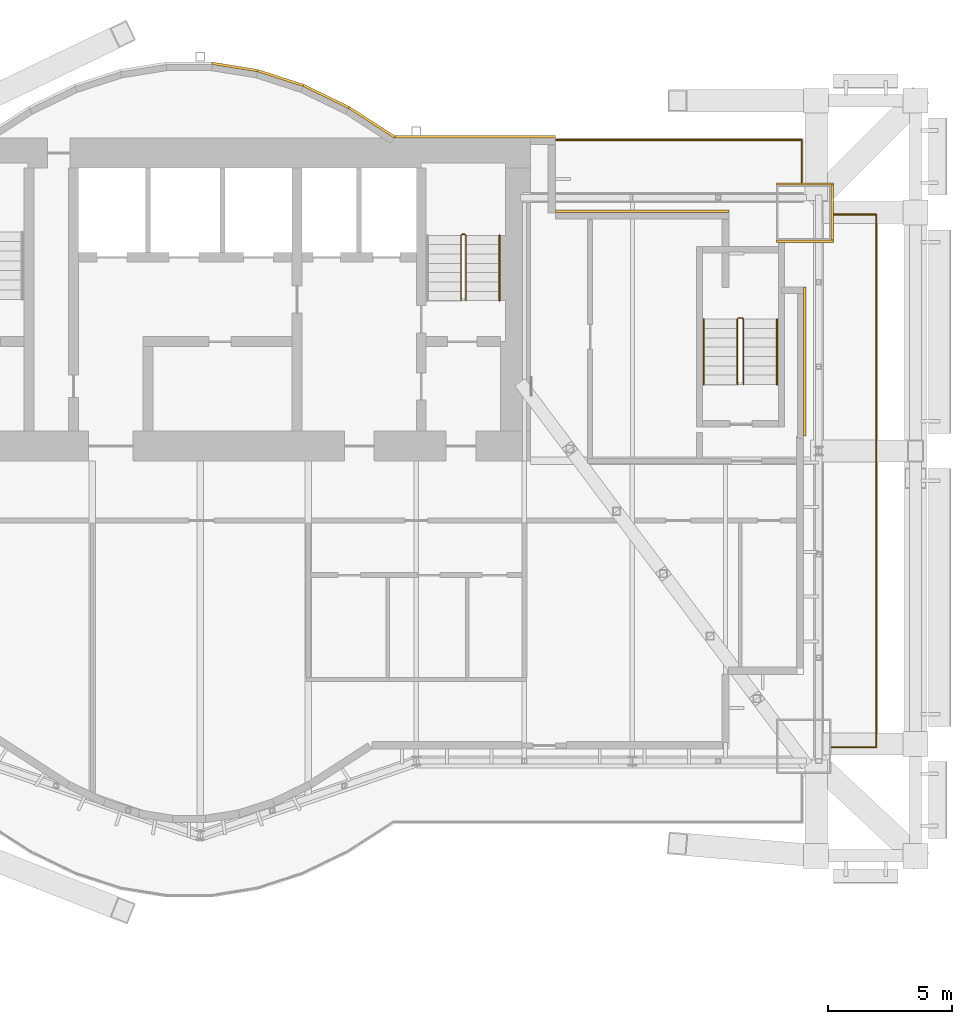
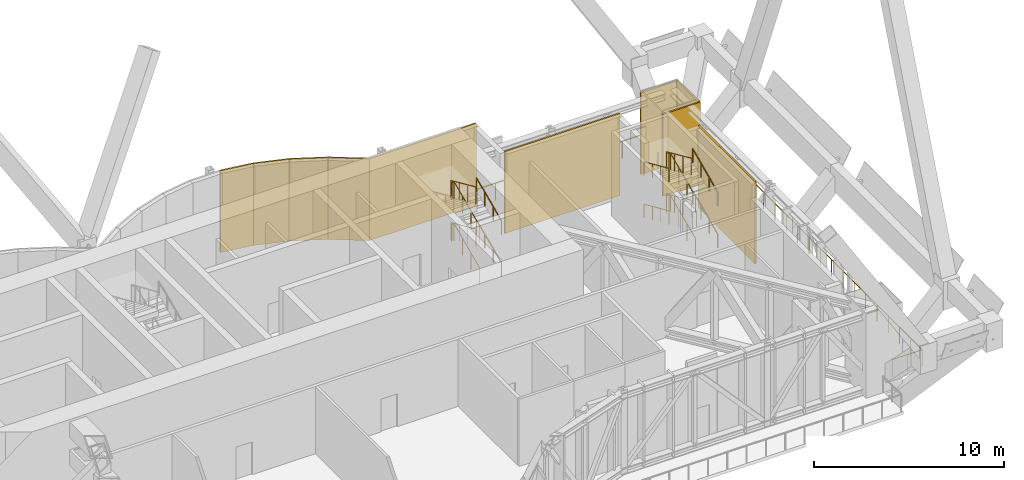
# One storey, part 30 of 30: 12 railings, 10 coverings.
"""IFC4 building model written with IfcOpenShell, lengths in metres."""

from ifc_helpers import new_model, si_unit, direction, frame, origin, origin_2d, place, context, subcontext, project, spatial, rectangle, circle, extrude, material, layer, layer_set, type_object, element, save


model = new_model("IFC4")

# Units and contexts
model_context = context("Model", 3, precision=1e-05, world=origin(), true_north=direction((0.0, 1.0)))
body_context = subcontext(model_context, "Body", "Model", "MODEL_VIEW")
ifc_project = project(units=[si_unit("LENGTHUNIT", "METRE"), si_unit("AREAUNIT", "SQUARE_METRE"), si_unit("VOLUMEUNIT", "CUBIC_METRE"), si_unit("PLANEANGLEUNIT", "RADIAN"), si_unit("MASSUNIT", "GRAM", prefix="KILO")], contexts=[model_context])

# Site, building, storey
site_placement = place(None, origin())
site = spatial("IfcSite", under=ifc_project, at=site_placement, CompositionType="ELEMENT")
building_placement = place(site_placement, origin())
building = spatial("IfcBuilding", under=site, at=building_placement, Name="Bicima Exchange Tower", CompositionType="ELEMENT")
storey_placement = place(building_placement, frame((0.0, 0.0, 287.60009765625)))
storey = spatial("IfcBuildingStorey", under=building, at=storey_placement, Name="L65", CompositionType="ELEMENT", Elevation=287.60009765625)

# Coverings
ifc_material_1 = material(Name="Bronze metal cladding")
ifc_layer_1 = layer(ifc_material_1, 0.004)
ifc_material_2 = material(Name="Ventilated cavity")
ifc_layer_2 = layer(ifc_material_2, 0.06)
ifc_material_3 = material(Name="Galvanised steel rail and mineral wool", Category="steel")
ifc_layer_3 = layer(ifc_material_3, 0.036)
ifc_layer_set = layer_set([ifc_layer_1, ifc_layer_2, ifc_layer_3], Name="Ventilated cavity")
covering_type = type_object("IfcCoveringType", Name="Bronze metal cladding panel 100", PredefinedType="CLADDING", material=ifc_layer_set)
covering_1_placement = place(storey_placement, frame((33.050048828125, -9.0, 0.0), z_axis=(0.0, 0.0, 1.0), x_axis=(0.0, 1.0, 0.0)))
element("IfcCovering", 1, at=covering_1_placement, inside=storey, type_object=covering_type, Name="Bronze cladding L65 2.1", PredefinedType="CLADDING", context=body_context, shape_type="SweptSolid", body=[
    extrude(rectangle(XDim=6.0, YDim=0.10009765625, at=origin_2d()), origin(), (0.0, 0.0, 1.0), 5.25),
])
covering_2_placement = place(storey_placement, frame((26.5, -2.949951171875, 0.0), z_axis=(0.0, 0.0, 1.0), x_axis=(-1.0, 0.0, 0.0)))
element("IfcCovering", 2, at=covering_2_placement, inside=storey, type_object=covering_type, Name="Bronze cladding L65 5.1", PredefinedType="CLADDING", context=body_context, shape_type="SweptSolid", body=[
    extrude(rectangle(XDim=7.0, YDim=0.10009765625, at=origin_2d()), origin(), (0.0, 0.0, 1.0), 5.25),
])
covering_3_placement = place(storey_placement, frame((19.75, 0.050048828125, 0.0), z_axis=(0.0, 0.0, 1.0), x_axis=(-1.0, 0.0, 0.0)))
element("IfcCovering", 3, at=covering_3_placement, inside=storey, type_object=covering_type, Name="Bronze cladding L65 7.1", PredefinedType="CLADDING", context=body_context, shape_type="SweptSolid", body=[
    extrude(rectangle(XDim=6.5, YDim=0.10009765625, at=origin_2d()), origin(), (0.0, 0.0, 1.0), 5.25),
])
covering_4_placement = place(storey_placement, frame((15.610595703125, 0.634521484375, 0.0), z_axis=(0.0, 0.0, 1.0), x_axis=(-0.839790466384, 0.542910648791, 0.0)))
element("IfcCovering", 4, at=covering_4_placement, inside=storey, type_object=covering_type, Name="Bronze cladding L65 8.1", PredefinedType="CLADDING", context=body_context, shape_type="SweptSolid", body=[
    extrude(rectangle(XDim=2.18310546875, YDim=0.10009765625, at=origin_2d()), origin(), (0.0, 0.0, 1.0), 5.25),
])
covering_5_placement = place(storey_placement, frame((13.771728515625, 1.674560546875, 0.0), z_axis=(0.0, 0.0, 1.0), x_axis=(-0.899818346812, 0.436264762204, 0.0)))
element("IfcCovering", 5, at=covering_5_placement, inside=storey, type_object=covering_type, Name="Bronze cladding L65 9.1", PredefinedType="CLADDING", context=body_context, shape_type="SweptSolid", body=[
    extrude(rectangle(XDim=2.03759765625, YDim=0.10009765625, at=origin_2d()), origin(), (0.0, 0.0, 1.0), 5.25),
])
covering_6_placement = place(storey_placement, frame((11.931884765625, 2.41796875, 0.0), z_axis=(0.0, 0.0, 1.0), x_axis=(-0.951524642381, 0.307572519808, 0.0)))
element("IfcCovering", 6, at=covering_6_placement, inside=storey, type_object=covering_type, Name="Bronze cladding L65 10.1", PredefinedType="CLADDING", context=body_context, shape_type="SweptSolid", body=[
    extrude(rectangle(XDim=1.9267578125, YDim=0.10009765625, at=origin_2d()), origin(), (0.0, 0.0, 1.0), 5.25),
])
covering_7_placement = place(storey_placement, frame((10.09130859375, 2.8642578125, 0.0), z_axis=(0.0, 0.0, 1.0), x_axis=(-0.987189786347, 0.159550386184, 0.0)))
element("IfcCovering", 7, at=covering_7_placement, inside=storey, type_object=covering_type, Name="Bronze cladding L65 11.1", PredefinedType="CLADDING", context=body_context, shape_type="SweptSolid", body=[
    extrude(rectangle(XDim=1.857177734375, YDim=0.10009765625, at=origin_2d()), origin(), (0.0, 0.0, 1.0), 5.25),
])
for number, where, z_axis, x_axis, name in (
    (8, (33.050048828125, -1.85009765625, 0.0), (0.0, 0.0, 1.0), (1.0, 0.0, 0.0), "Column cladding L65 2N"),
    (9, (33.050048828125, -4.14990234375, 0.0), (0.0, 0.0, 1.0), (1.0, 0.0, 0.0), "Column cladding L65 2S"),
):
    element("IfcCovering", number, at=place(storey_placement, frame(where, z_axis=z_axis, x_axis=x_axis)), inside=storey, type_object=covering_type, Name=name, PredefinedType="CLADDING", context=body_context, shape_type="SweptSolid", body=[
        extrude(rectangle(XDim=2.300048828125, YDim=0.10009765625, at=origin_2d()), origin(), (0.0, 0.0, 1.0), 5.25),
    ])
covering_8_placement = place(storey_placement, frame((34.14990234375, -3.0, 0.0), z_axis=(0.0, 0.0, 1.0), x_axis=(1.0, 0.0, 0.0)))
element("IfcCovering", 10, at=covering_8_placement, inside=storey, type_object=covering_type, Name="Column cladding L65 2O", PredefinedType="CLADDING", context=body_context, shape_type="SweptSolid", body=[
    extrude(rectangle(XDim=0.10009765625, YDim=2.199951171875, at=origin_2d()), origin(), (0.0, 0.0, 1.0), 5.25),
])

# Railings
ifc_material_4 = material(Name="Stainless steel", Category="steel")
railing_type_1 = type_object("IfcRailingType", Name="Stair guard 1100", PredefinedType="GUARDRAIL", material=ifc_material_4)
railing_1_placement = place(storey_placement, frame((19.39990234375, -6.550048828125, 0.168701171875)))
element("IfcRailing", 11, at=railing_1_placement, inside=storey, type_object=railing_type_1, Name="L65 ST-E stair guard 1", PredefinedType="GUARDRAIL", context=body_context, shape_type="SweptSolid", body=[
    extrude(circle(Radius=0.02392578125, at=origin_2d()), frame((0.0, 0.0, 1.076171875), z_axis=(0.0, 0.912233369549, 0.409670940488), x_axis=(-1.0, 0.0, 0.0)), (0.0, 0.0, 1.0), 2.883056640625),
    extrude(circle(Radius=0.02392578125, at=origin_2d()), frame((0.0, 2.630126953125, 2.25732421875), z_axis=(-0.707106781187, 0.707106781187, 0.0), x_axis=(-0.707106781187, -0.707106781187, 0.0)), (0.0, 0.0, 1.0), 0.0703125),
    extrude(circle(Radius=0.02392578125, at=origin_2d()), frame((-0.0498046875, 2.679931640625, 2.25732421875), z_axis=(-1.0, 0.0, 0.0), x_axis=(0.0, -1.0, 0.0)), (0.0, 0.0, 1.0), 0.10009765625),
    extrude(circle(Radius=0.02392578125, at=origin_2d()), frame((-0.14990234375, 2.679931640625, 2.25732421875), z_axis=(-0.273668752699, -0.272333783174, 0.922463942026), x_axis=(0.705375805398, -0.708833529934, 0.0)), (0.0, 0.0, 1.0), 0.182861328125),
    extrude(circle(Radius=0.02392578125, at=origin_2d()), frame((-0.199951171875, 2.630126953125, 2.42578125), z_axis=(0.0, -0.912201722539, 0.409741403079), x_axis=(1.0, 0.0, 0.0)), (0.0, 0.0, 1.0), 2.88330078125),
    extrude(circle(Radius=0.02099609375, at=origin_2d()), origin(), (0.0, 0.0, 1.0), 1.052001953125),
    extrude(circle(Radius=0.02099609375, at=origin_2d()), frame((0.0, 0.876708984375, 0.393798828125)), (0.0, 0.0, 1.0), 1.052001953125),
    extrude(circle(Radius=0.02099609375, at=origin_2d()), frame((0.0, 1.75341796875, 0.787353515625)), (0.0, 0.0, 1.0), 1.052001953125),
    extrude(circle(Radius=0.02099609375, at=origin_2d()), frame((0.0, 2.630126953125, 1.18115234375)), (0.0, 0.0, 1.0), 1.052001953125),
    extrude(circle(Radius=0.02099609375, at=origin_2d()), frame((-0.0498046875, 2.679931640625, 1.18115234375)), (0.0, 0.0, 1.0), 1.052001953125),
    extrude(circle(Radius=0.02099609375, at=origin_2d()), frame((-0.14990234375, 2.679931640625, 1.18115234375)), (0.0, 0.0, 1.0), 1.052001953125),
    extrude(circle(Radius=0.02099609375, at=origin_2d()), frame((-0.199951171875, 2.630126953125, 1.349853515625)), (0.0, 0.0, 1.0), 1.052001953125),
    extrude(circle(Radius=0.02099609375, at=origin_2d()), frame((-0.199951171875, 1.75341796875, 1.74365234375)), (0.0, 0.0, 1.0), 1.052001953125),
    extrude(circle(Radius=0.02099609375, at=origin_2d()), frame((-0.199951171875, 0.876708984375, 2.137451171875)), (0.0, 0.0, 1.0), 1.052001953125),
    extrude(circle(Radius=0.02099609375, at=origin_2d()), frame((-0.199951171875, 0.0, 2.53125)), (0.0, 0.0, 1.0), 1.052001953125),
])
railing_2_placement = place(storey_placement, frame((19.39990234375, -6.550048828125, 2.86865234375)))
element("IfcRailing", 12, at=railing_2_placement, inside=storey, type_object=railing_type_1, Name="L65 ST-E stair guard 2", PredefinedType="GUARDRAIL", context=body_context, shape_type="SweptSolid", body=[
    extrude(circle(Radius=0.02392578125, at=origin_2d()), frame((0.0, 0.0, 1.076171875), z_axis=(0.0, 0.912233369549, 0.409670940488), x_axis=(-1.0, 0.0, 0.0)), (0.0, 0.0, 1.0), 2.883056640625),
    extrude(circle(Radius=0.02392578125, at=origin_2d()), frame((0.0, 2.630126953125, 2.25732421875), z_axis=(-0.707106781187, 0.707106781187, 0.0), x_axis=(-0.707106781187, -0.707106781187, 0.0)), (0.0, 0.0, 1.0), 0.0703125),
    extrude(circle(Radius=0.02392578125, at=origin_2d()), frame((-0.0498046875, 2.679931640625, 2.25732421875), z_axis=(-1.0, 0.0, 0.0), x_axis=(0.0, -1.0, 0.0)), (0.0, 0.0, 1.0), 0.10009765625),
    extrude(circle(Radius=0.02392578125, at=origin_2d()), frame((-0.14990234375, 2.679931640625, 2.25732421875), z_axis=(-0.273332118527, -0.271998791119, 0.922662565953), x_axis=(0.705375805398, -0.708833529934, 0.0)), (0.0, 0.0, 1.0), 0.18310546875),
    extrude(circle(Radius=0.02392578125, at=origin_2d()), frame((-0.199951171875, 2.630126953125, 2.42626953125), z_axis=(0.0, -0.912233369549, 0.409670940488), x_axis=(1.0, 0.0, 0.0)), (0.0, 0.0, 1.0), 2.883056640625),
    extrude(circle(Radius=0.02099609375, at=origin_2d()), origin(), (0.0, 0.0, 1.0), 1.052001953125),
    extrude(circle(Radius=0.02099609375, at=origin_2d()), frame((0.0, 0.876708984375, 0.393798828125)), (0.0, 0.0, 1.0), 1.052001953125),
    extrude(circle(Radius=0.02099609375, at=origin_2d()), frame((0.0, 1.75341796875, 0.787353515625)), (0.0, 0.0, 1.0), 1.052001953125),
    extrude(circle(Radius=0.02099609375, at=origin_2d()), frame((0.0, 2.630126953125, 1.18115234375)), (0.0, 0.0, 1.0), 1.052001953125),
    extrude(circle(Radius=0.02099609375, at=origin_2d()), frame((-0.0498046875, 2.679931640625, 1.18115234375)), (0.0, 0.0, 1.0), 1.052001953125),
    extrude(circle(Radius=0.02099609375, at=origin_2d()), frame((-0.14990234375, 2.679931640625, 1.18115234375)), (0.0, 0.0, 1.0), 1.052001953125),
    extrude(circle(Radius=0.02099609375, at=origin_2d()), frame((-0.199951171875, 2.630126953125, 1.35009765625)), (0.0, 0.0, 1.0), 1.052001953125),
    extrude(circle(Radius=0.02099609375, at=origin_2d()), frame((-0.199951171875, 1.75341796875, 1.743896484375)), (0.0, 0.0, 1.0), 1.052001953125),
    extrude(circle(Radius=0.02099609375, at=origin_2d()), frame((-0.199951171875, 0.876708984375, 2.137451171875)), (0.0, 0.0, 1.0), 1.052001953125),
    extrude(circle(Radius=0.02099609375, at=origin_2d()), frame((-0.199951171875, 0.0, 2.53125)), (0.0, 0.0, 1.0), 1.052001953125),
])
railing_3_placement = place(storey_placement, frame((30.574951171875, -9.925048828125, 0.168701171875)))
element("IfcRailing", 13, at=railing_3_placement, inside=storey, type_object=railing_type_1, Name="L65 ST-EE stair guard 1", PredefinedType="GUARDRAIL", context=body_context, shape_type="SweptSolid", body=[
    extrude(circle(Radius=0.02392578125, at=origin_2d()), frame((0.0, 0.0, 1.076171875), z_axis=(0.0, 0.912233369549, 0.409670940488), x_axis=(-1.0, 0.0, 0.0)), (0.0, 0.0, 1.0), 2.883056640625),
    extrude(circle(Radius=0.02392578125, at=origin_2d()), frame((0.0, 2.630126953125, 2.25732421875), z_axis=(-0.708833529934, 0.705375805398, 0.0), x_axis=(-0.705375805398, -0.708833529934, 0.0)), (0.0, 0.0, 1.0), 0.070556640625),
    extrude(circle(Radius=0.02392578125, at=origin_2d()), frame((-0.050048828125, 2.679931640625, 2.25732421875), z_axis=(-1.0, 0.0, 0.0), x_axis=(0.0, -1.0, 0.0)), (0.0, 0.0, 1.0), 0.14990234375),
    extrude(circle(Radius=0.02392578125, at=origin_2d()), frame((-0.199951171875, 2.679931640625, 2.25732421875), z_axis=(-0.273668752699, -0.272333783174, 0.922463942026), x_axis=(0.705375805398, -0.708833529934, 0.0)), (0.0, 0.0, 1.0), 0.182861328125),
    extrude(circle(Radius=0.02392578125, at=origin_2d()), frame((-0.25, 2.630126953125, 2.42578125), z_axis=(0.0, -0.912201722539, 0.409741403079), x_axis=(1.0, 0.0, 0.0)), (0.0, 0.0, 1.0), 2.88330078125),
    extrude(circle(Radius=0.02099609375, at=origin_2d()), origin(), (0.0, 0.0, 1.0), 1.052001953125),
    extrude(circle(Radius=0.02099609375, at=origin_2d()), frame((0.0, 0.876708984375, 0.393798828125)), (0.0, 0.0, 1.0), 1.052001953125),
    extrude(circle(Radius=0.02099609375, at=origin_2d()), frame((0.0, 1.75341796875, 0.787353515625)), (0.0, 0.0, 1.0), 1.052001953125),
    extrude(circle(Radius=0.02099609375, at=origin_2d()), frame((0.0, 2.630126953125, 1.18115234375)), (0.0, 0.0, 1.0), 1.052001953125),
    extrude(circle(Radius=0.02099609375, at=origin_2d()), frame((-0.050048828125, 2.679931640625, 1.18115234375)), (0.0, 0.0, 1.0), 1.052001953125),
    extrude(circle(Radius=0.02099609375, at=origin_2d()), frame((-0.199951171875, 2.679931640625, 1.18115234375)), (0.0, 0.0, 1.0), 1.052001953125),
    extrude(circle(Radius=0.02099609375, at=origin_2d()), frame((-0.25, 2.630126953125, 1.349853515625)), (0.0, 0.0, 1.0), 1.052001953125),
    extrude(circle(Radius=0.02099609375, at=origin_2d()), frame((-0.25, 1.75341796875, 1.74365234375)), (0.0, 0.0, 1.0), 1.052001953125),
    extrude(circle(Radius=0.02099609375, at=origin_2d()), frame((-0.25, 0.876708984375, 2.137451171875)), (0.0, 0.0, 1.0), 1.052001953125),
    extrude(circle(Radius=0.02099609375, at=origin_2d()), frame((-0.25, 0.0, 2.53125)), (0.0, 0.0, 1.0), 1.052001953125),
])
railing_4_placement = place(storey_placement, frame((30.574951171875, -9.925048828125, 2.86865234375)))
element("IfcRailing", 14, at=railing_4_placement, inside=storey, type_object=railing_type_1, Name="L65 ST-EE stair guard 2", PredefinedType="GUARDRAIL", context=body_context, shape_type="SweptSolid", body=[
    extrude(circle(Radius=0.02392578125, at=origin_2d()), frame((0.0, 0.0, 1.076171875), z_axis=(0.0, 0.912233369549, 0.409670940488), x_axis=(-1.0, 0.0, 0.0)), (0.0, 0.0, 1.0), 2.883056640625),
    extrude(circle(Radius=0.02392578125, at=origin_2d()), frame((0.0, 2.630126953125, 2.25732421875), z_axis=(-0.708833529934, 0.705375805398, 0.0), x_axis=(-0.705375805398, -0.708833529934, 0.0)), (0.0, 0.0, 1.0), 0.070556640625),
    extrude(circle(Radius=0.02392578125, at=origin_2d()), frame((-0.050048828125, 2.679931640625, 2.25732421875), z_axis=(-1.0, 0.0, 0.0), x_axis=(0.0, -1.0, 0.0)), (0.0, 0.0, 1.0), 0.14990234375),
    extrude(circle(Radius=0.02392578125, at=origin_2d()), frame((-0.199951171875, 2.679931640625, 2.25732421875), z_axis=(-0.273332118527, -0.271998791119, 0.922662565953), x_axis=(0.705375805398, -0.708833529934, 0.0)), (0.0, 0.0, 1.0), 0.18310546875),
    extrude(circle(Radius=0.02392578125, at=origin_2d()), frame((-0.25, 2.630126953125, 2.42626953125), z_axis=(0.0, -0.912233369549, 0.409670940488), x_axis=(1.0, 0.0, 0.0)), (0.0, 0.0, 1.0), 2.883056640625),
    extrude(circle(Radius=0.02099609375, at=origin_2d()), origin(), (0.0, 0.0, 1.0), 1.052001953125),
    extrude(circle(Radius=0.02099609375, at=origin_2d()), frame((0.0, 0.876708984375, 0.393798828125)), (0.0, 0.0, 1.0), 1.052001953125),
    extrude(circle(Radius=0.02099609375, at=origin_2d()), frame((0.0, 1.75341796875, 0.787353515625)), (0.0, 0.0, 1.0), 1.052001953125),
    extrude(circle(Radius=0.02099609375, at=origin_2d()), frame((0.0, 2.630126953125, 1.18115234375)), (0.0, 0.0, 1.0), 1.052001953125),
    extrude(circle(Radius=0.02099609375, at=origin_2d()), frame((-0.050048828125, 2.679931640625, 1.18115234375)), (0.0, 0.0, 1.0), 1.052001953125),
    extrude(circle(Radius=0.02099609375, at=origin_2d()), frame((-0.199951171875, 2.679931640625, 1.18115234375)), (0.0, 0.0, 1.0), 1.052001953125),
    extrude(circle(Radius=0.02099609375, at=origin_2d()), frame((-0.25, 2.630126953125, 1.35009765625)), (0.0, 0.0, 1.0), 1.052001953125),
    extrude(circle(Radius=0.02099609375, at=origin_2d()), frame((-0.25, 1.75341796875, 1.743896484375)), (0.0, 0.0, 1.0), 1.052001953125),
    extrude(circle(Radius=0.02099609375, at=origin_2d()), frame((-0.25, 0.876708984375, 2.137451171875)), (0.0, 0.0, 1.0), 1.052001953125),
    extrude(circle(Radius=0.02099609375, at=origin_2d()), frame((-0.25, 0.0, 2.53125)), (0.0, 0.0, 1.0), 1.052001953125),
])
railing_type_2 = type_object("IfcRailingType", Name="Stair handrail 900", PredefinedType="HANDRAIL", material=ifc_material_4)
for number, where, name in (
    (15, (20.75, -6.550048828125, 0.168701171875), "L65 ST-E stair handrail 1"),
    (16, (20.75, -6.550048828125, 2.86865234375), "L65 ST-E stair handrail 3"),
    (17, (31.925048828125, -9.925048828125, 0.168701171875), "L65 ST-EE stair handrail 1"),
):
    element("IfcRailing", number, at=place(storey_placement, frame(where)), inside=storey, type_object=railing_type_2, Name=name, PredefinedType="HANDRAIL", context=body_context, shape_type="SweptSolid", body=[
        extrude(circle(Radius=0.02392578125, at=origin_2d()), frame((0.0, 0.0, 0.8759765625), z_axis=(0.0, 0.912233369549, 0.409670940488), x_axis=(-1.0, 0.0, 0.0)), (0.0, 0.0, 1.0), 2.883056640625),
        extrude(circle(Radius=0.02099609375, at=origin_2d()), origin(), (0.0, 0.0, 1.0), 0.851806640625),
        extrude(circle(Radius=0.02099609375, at=origin_2d()), frame((0.0, 0.876708984375, 0.393798828125)), (0.0, 0.0, 1.0), 0.851806640625),
        extrude(circle(Radius=0.02099609375, at=origin_2d()), frame((0.0, 1.75341796875, 0.787353515625)), (0.0, 0.0, 1.0), 0.851806640625),
        extrude(circle(Radius=0.02099609375, at=origin_2d()), frame((0.0, 2.630126953125, 1.18115234375)), (0.0, 0.0, 1.0), 0.851806640625),
    ])
railing_5_placement = place(storey_placement, frame((28.97509765625, -7.294921875, 1.5185546875)))
element("IfcRailing", 18, at=railing_5_placement, inside=storey, type_object=railing_type_2, Name="L65 ST-EE stair handrail 2", PredefinedType="HANDRAIL", context=body_context, shape_type="SweptSolid", body=[
    extrude(circle(Radius=0.02392578125, at=origin_2d()), frame((0.0, 0.0, 0.8759765625), z_axis=(0.0, -0.912201722539, 0.409741403079), x_axis=(1.0, 0.0, 0.0)), (0.0, 0.0, 1.0), 2.88330078125),
    extrude(circle(Radius=0.02099609375, at=origin_2d()), origin(), (0.0, 0.0, 1.0), 0.851806640625),
    extrude(circle(Radius=0.02099609375, at=origin_2d()), frame((0.0, -0.876708984375, 0.393798828125)), (0.0, 0.0, 1.0), 0.851806640625),
    extrude(circle(Radius=0.02099609375, at=origin_2d()), frame((0.0, -1.75341796875, 0.78759765625)), (0.0, 0.0, 1.0), 0.851806640625),
    extrude(circle(Radius=0.02099609375, at=origin_2d()), frame((0.0, -2.630126953125, 1.181396484375)), (0.0, 0.0, 1.0), 0.851806640625),
])
railing_6_placement = place(storey_placement, frame((31.925048828125, -9.925048828125, 2.86865234375)))
element("IfcRailing", 19, at=railing_6_placement, inside=storey, type_object=railing_type_2, Name="L65 ST-EE stair handrail 3", PredefinedType="HANDRAIL", context=body_context, shape_type="SweptSolid", body=[
    extrude(circle(Radius=0.02392578125, at=origin_2d()), frame((0.0, 0.0, 0.8759765625), z_axis=(0.0, 0.912233369549, 0.409670940488), x_axis=(-1.0, 0.0, 0.0)), (0.0, 0.0, 1.0), 2.883056640625),
    extrude(circle(Radius=0.02099609375, at=origin_2d()), origin(), (0.0, 0.0, 1.0), 0.851806640625),
    extrude(circle(Radius=0.02099609375, at=origin_2d()), frame((0.0, 0.876708984375, 0.393798828125)), (0.0, 0.0, 1.0), 0.851806640625),
    extrude(circle(Radius=0.02099609375, at=origin_2d()), frame((0.0, 1.75341796875, 0.787353515625)), (0.0, 0.0, 1.0), 0.851806640625),
    extrude(circle(Radius=0.02099609375, at=origin_2d()), frame((0.0, 2.630126953125, 1.18115234375)), (0.0, 0.0, 1.0), 0.851806640625),
])
railing_7_placement = place(storey_placement, frame((28.97509765625, -7.294921875, 4.241455078125)))
element("IfcRailing", 20, at=railing_7_placement, inside=storey, type_object=railing_type_2, Name="L65 ST-EE stair handrail 4", PredefinedType="HANDRAIL", context=body_context, shape_type="SweptSolid", body=[
    extrude(circle(Radius=0.02392578125, at=origin_2d()), frame((0.0, 0.0, 0.8759765625), z_axis=(0.0, -0.912233369549, 0.409670940488), x_axis=(1.0, 0.0, 0.0)), (0.0, 0.0, 1.0), 2.883056640625),
    extrude(circle(Radius=0.02099609375, at=origin_2d()), origin(), (0.0, 0.0, 1.0), 0.851806640625),
    extrude(circle(Radius=0.02099609375, at=origin_2d()), frame((0.0, -0.876708984375, 0.393798828125)), (0.0, 0.0, 1.0), 0.851806640625),
    extrude(circle(Radius=0.02099609375, at=origin_2d()), frame((0.0, -1.75341796875, 0.787353515625)), (0.0, 0.0, 1.0), 0.851806640625),
    extrude(circle(Radius=0.02099609375, at=origin_2d()), frame((0.0, -2.630126953125, 1.18115234375)), (0.0, 0.0, 1.0), 0.851806640625),
])
ifc_material_5 = material(Name="Stainless steel and bonded safety glass", Category="steel")
railing_type_3 = type_object("IfcRailingType", Name="Terrace guard 1100", PredefinedType="GUARDRAIL", material=ifc_material_5)
railing_8_placement = place(storey_placement, frame((23.02001953125, -0.080078125, 0.0)))
element("IfcRailing", 21, at=railing_8_placement, inside=storey, type_object=railing_type_3, Name="Terrace guard L65 3", PredefinedType="GUARDRAIL", context=body_context, shape_type="SweptSolid", body=[
    extrude(circle(Radius=0.02392578125, at=origin_2d()), frame((0.0, 0.0, 1.076171875), z_axis=(1.0, 0.0, 0.0), x_axis=(0.0, 1.0, 0.0)), (0.0, 0.0, 1.0), 9.89990234375),
    extrude(circle(Radius=0.02392578125, at=origin_2d()), frame((9.89990234375, 0.0, 1.076171875), z_axis=(0.0, -1.0, 0.0), x_axis=(1.0, 0.0, 0.0)), (0.0, 0.0, 1.0), 1.81982421875),
    extrude(circle(Radius=0.02099609375, at=origin_2d()), origin(), (0.0, 0.0, 1.0), 1.052001953125),
    extrude(circle(Radius=0.02099609375, at=origin_2d()), frame((1.10009765625, 0.0, 0.0)), (0.0, 0.0, 1.0), 1.052001953125),
    extrude(circle(Radius=0.02099609375, at=origin_2d()), frame((2.199951171875, 0.0, 0.0)), (0.0, 0.0, 1.0), 1.052001953125),
    extrude(circle(Radius=0.02099609375, at=origin_2d()), frame((3.300048828125, 0.0, 0.0)), (0.0, 0.0, 1.0), 1.052001953125),
    extrude(circle(Radius=0.02099609375, at=origin_2d()), frame((4.39990234375, 0.0, 0.0)), (0.0, 0.0, 1.0), 1.052001953125),
    extrude(circle(Radius=0.02099609375, at=origin_2d()), frame((5.5, 0.0, 0.0)), (0.0, 0.0, 1.0), 1.052001953125),
    extrude(circle(Radius=0.02099609375, at=origin_2d()), frame((6.599853515625, 0.0, 0.0)), (0.0, 0.0, 1.0), 1.052001953125),
    extrude(circle(Radius=0.02099609375, at=origin_2d()), frame((7.699951171875, 0.0, 0.0)), (0.0, 0.0, 1.0), 1.052001953125),
    extrude(circle(Radius=0.02099609375, at=origin_2d()), frame((8.7998046875, 0.0, 0.0)), (0.0, 0.0, 1.0), 1.052001953125),
    extrude(circle(Radius=0.02099609375, at=origin_2d()), frame((9.89990234375, 0.0, 0.0)), (0.0, 0.0, 1.0), 1.052001953125),
    extrude(circle(Radius=0.02099609375, at=origin_2d()), frame((9.89990234375, -0.909912109375, 0.0)), (0.0, 0.0, 1.0), 1.052001953125),
    extrude(circle(Radius=0.02099609375, at=origin_2d()), frame((9.89990234375, -1.81982421875, 0.0)), (0.0, 0.0, 1.0), 1.052001953125),
])
railing_9_placement = place(storey_placement, frame((34.10009765625, -3.080078125, 0.0)))
element("IfcRailing", 22, at=railing_9_placement, inside=storey, type_object=railing_type_3, Name="Terrace guard L65 4", PredefinedType="GUARDRAIL", context=body_context, shape_type="SweptSolid", body=[
    extrude(circle(Radius=0.02392578125, at=origin_2d()), frame((0.0, 0.0, 1.076171875), z_axis=(1.0, 0.0, 0.0), x_axis=(0.0, 1.0, 0.0)), (0.0, 0.0, 1.0), 1.81982421875),
    extrude(circle(Radius=0.02392578125, at=origin_2d()), frame((1.81982421875, 0.0, 1.076171875), z_axis=(0.0, -1.0, 0.0), x_axis=(1.0, 0.0, 0.0)), (0.0, 0.0, 1.0), 21.44384765625),
    extrude(circle(Radius=0.02392578125, at=origin_2d()), frame((1.81982421875, -21.44384765625, 1.076171875), z_axis=(-1.0, 0.0, 0.0), x_axis=(0.0, -1.0, 0.0)), (0.0, 0.0, 1.0), 1.81982421875),
    extrude(circle(Radius=0.02099609375, at=origin_2d()), origin(), (0.0, 0.0, 1.0), 1.052001953125),
    extrude(circle(Radius=0.02099609375, at=origin_2d()), frame((0.909912109375, 0.0, 0.0)), (0.0, 0.0, 1.0), 1.052001953125),
    extrude(circle(Radius=0.02099609375, at=origin_2d()), frame((1.81982421875, 0.0, 0.0)), (0.0, 0.0, 1.0), 1.052001953125),
    extrude(circle(Radius=0.02099609375, at=origin_2d()), frame((1.81982421875, -1.19140625, 0.0)), (0.0, 0.0, 1.0), 1.052001953125),
    extrude(circle(Radius=0.02099609375, at=origin_2d()), frame((1.81982421875, -2.382568359375, 0.0)), (0.0, 0.0, 1.0), 1.052001953125),
    extrude(circle(Radius=0.02099609375, at=origin_2d()), frame((1.81982421875, -3.573974609375, 0.0)), (0.0, 0.0, 1.0), 1.052001953125),
    extrude(circle(Radius=0.02099609375, at=origin_2d()), frame((1.81982421875, -4.765380859375, 0.0)), (0.0, 0.0, 1.0), 1.052001953125),
    extrude(circle(Radius=0.02099609375, at=origin_2d()), frame((1.81982421875, -5.95654296875, 0.0)), (0.0, 0.0, 1.0), 1.052001953125),
    extrude(circle(Radius=0.02099609375, at=origin_2d()), frame((1.81982421875, -7.14794921875, 0.0)), (0.0, 0.0, 1.0), 1.052001953125),
    extrude(circle(Radius=0.02099609375, at=origin_2d()), frame((1.81982421875, -8.33935546875, 0.0)), (0.0, 0.0, 1.0), 1.052001953125),
    extrude(circle(Radius=0.02099609375, at=origin_2d()), frame((1.81982421875, -9.530517578125, 0.0)), (0.0, 0.0, 1.0), 1.052001953125),
    extrude(circle(Radius=0.02099609375, at=origin_2d()), frame((1.81982421875, -10.721923828125, 0.0)), (0.0, 0.0, 1.0), 1.052001953125),
    extrude(circle(Radius=0.02099609375, at=origin_2d()), frame((1.81982421875, -11.913330078125, 0.0)), (0.0, 0.0, 1.0), 1.052001953125),
    extrude(circle(Radius=0.02099609375, at=origin_2d()), frame((1.81982421875, -13.1044921875, 0.0)), (0.0, 0.0, 1.0), 1.052001953125),
    extrude(circle(Radius=0.02099609375, at=origin_2d()), frame((1.81982421875, -14.2958984375, 0.0)), (0.0, 0.0, 1.0), 1.052001953125),
    extrude(circle(Radius=0.02099609375, at=origin_2d()), frame((1.81982421875, -15.4873046875, 0.0)), (0.0, 0.0, 1.0), 1.052001953125),
    extrude(circle(Radius=0.02099609375, at=origin_2d()), frame((1.81982421875, -16.678466796875, 0.0)), (0.0, 0.0, 1.0), 1.052001953125),
    extrude(circle(Radius=0.02099609375, at=origin_2d()), frame((1.81982421875, -17.869873046875, 0.0)), (0.0, 0.0, 1.0), 1.052001953125),
    extrude(circle(Radius=0.02099609375, at=origin_2d()), frame((1.81982421875, -19.061279296875, 0.0)), (0.0, 0.0, 1.0), 1.052001953125),
    extrude(circle(Radius=0.02099609375, at=origin_2d()), frame((1.81982421875, -20.25244140625, 0.0)), (0.0, 0.0, 1.0), 1.052001953125),
    extrude(circle(Radius=0.02099609375, at=origin_2d()), frame((1.81982421875, -21.44384765625, 0.0)), (0.0, 0.0, 1.0), 1.052001953125),
    extrude(circle(Radius=0.02099609375, at=origin_2d()), frame((0.909912109375, -21.44384765625, 0.0)), (0.0, 0.0, 1.0), 1.052001953125),
    extrude(circle(Radius=0.02099609375, at=origin_2d()), frame((0.0, -21.44384765625, 0.0)), (0.0, 0.0, 1.0), 1.052001953125),
])

save(model, "model.ifc")
